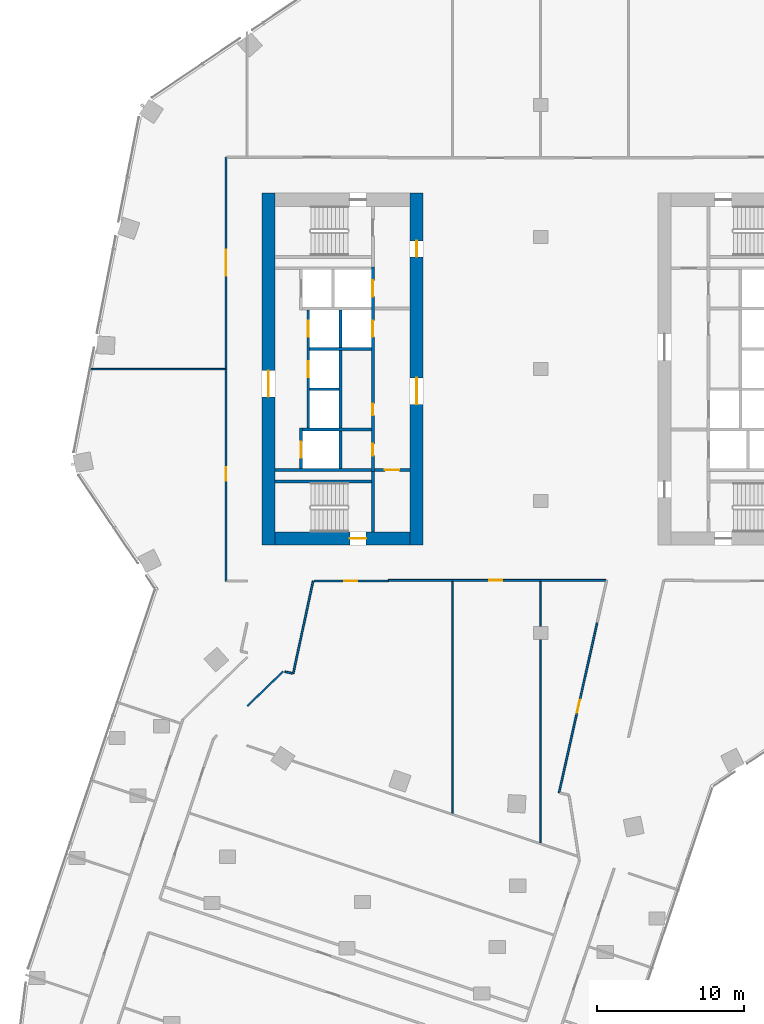
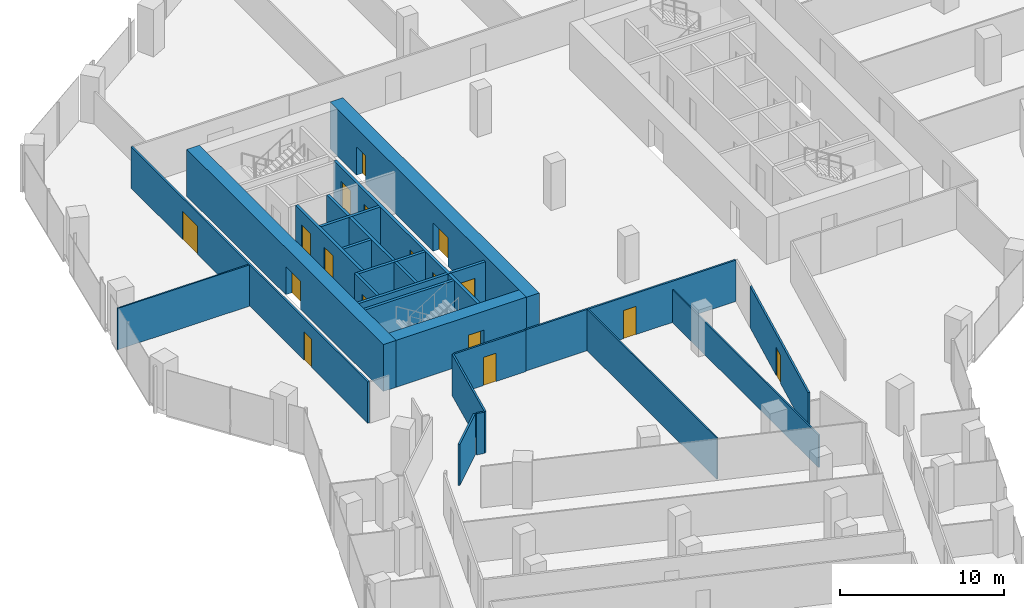
# One storey, part 20 of 25: 26 walls, 17 doors, 17 openings.
"""IFC4 building model written with IfcOpenShell, lengths in metres."""

from ifc_helpers import new_model, si_unit, direction, frame, frame_2d, origin, place, context, subcontext, project, spatial, rectangle, extrude, material, layer, layer_set, type_object, element, fill, save


model = new_model("IFC4")

# Units and contexts
model_context = context("Model", 3, precision=1e-05, world=origin(), true_north=direction((0.0, 1.0)))
body_context = subcontext(model_context, "Body", "Model", "MODEL_VIEW")
ifc_project = project(units=[si_unit("LENGTHUNIT", "METRE"), si_unit("AREAUNIT", "SQUARE_METRE"), si_unit("VOLUMEUNIT", "CUBIC_METRE"), si_unit("PLANEANGLEUNIT", "RADIAN"), si_unit("MASSUNIT", "GRAM", prefix="KILO")], contexts=[model_context])

# Site, building, storey
site_placement = place(None, origin())
site = spatial("IfcSite", under=ifc_project, at=site_placement, CompositionType="ELEMENT")
building_placement = place(site_placement, origin())
building = spatial("IfcBuilding", under=site, at=building_placement, Name="Orlundy Tower", CompositionType="ELEMENT")
storey_placement = place(building_placement, frame((0.0, 0.0, 159.60009765625)))
storey = spatial("IfcBuildingStorey", under=building, at=storey_placement, Name="L41", CompositionType="ELEMENT", Elevation=159.60009765625)

# Wall, opening, door
ifc_material_1 = material(Name="Concrete C70/85", Category="concrete")
ifc_layer_1 = layer(ifc_material_1, 0.89990234375)
ifc_layer_set_1 = layer_set([ifc_layer_1], Name="CORE WALL 900 C70/85")
wall_type_1 = type_object("IfcWallType", Name="CORE WALL 900 C70/85", PredefinedType="SHEAR", material=ifc_layer_set_1)
wall_1_placement = place(storey_placement, frame((-18.10009765625, -11.550048828125, 0.0), z_axis=(0.0, 0.0, 1.0), x_axis=(1.0, 0.0, 0.0)))
wall_1 = element("IfcWall", 1, at=wall_1_placement, inside=storey, type_object=wall_type_1, Name="Core wall W-S L41", PredefinedType="SHEAR", context=body_context, shape_type="SweptSolid", body=[
    extrude(rectangle(XDim=9.2001953125, YDim=0.89990234375, at=frame_2d((4.60009765625, 0.0))), origin(), (0.0, 0.0, 1.0), 3.5),
])
opening_1_placement = place(wall_1_placement, frame((5.10009765625, 0.0, 0.0)))
opening_1 = element("IfcOpeningElement", 2, at=opening_1_placement, cuts=wall_1, Name="Opening 32013", PredefinedType="OPENING", context=body_context, shape_type="SweptSolid", body=[
    extrude(rectangle(XDim=1.10009765625, YDim=2.10009765625, at=frame_2d((0.550048828125, 1.050048828125))), frame((0.0, 0.4599609375, 0.0), z_axis=(0.0, -1.0, 0.0), x_axis=(1.0, 0.0, 0.0)), (0.0, 0.0, 1.0), 0.919921875),
])
ifc_material_2 = material(Name="Steel door set", Category="steel")
door_type_1 = type_object("IfcDoorType", Name="Stair Door 1100x2100", OperationType="SINGLE_SWING_LEFT", PredefinedType="DOOR", material=ifc_material_2)
door_1_placement = place(opening_1_placement, origin())
door_1 = element("IfcDoor", 3, at=door_1_placement, inside=storey, type_object=door_type_1, Name="Stair door 32013", OperationType="SINGLE_SWING_RIGHT", OverallHeight=2.10009765625, OverallWidth=1.10009765625, PredefinedType="DOOR", context=body_context, shape_type="SweptSolid", body=[
    extrude(rectangle(XDim=1.10009765625, YDim=2.10009765625, at=frame_2d((0.550048828125, 1.050048828125))), frame((0.0, 0.02490234375, 0.0), z_axis=(0.0, -1.0, 0.0), x_axis=(1.0, 0.0, 0.0)), (0.0, 0.0, 1.0), 0.050048828125),
])
fill(opening_1, door_1)

wall_2_placement = place(storey_placement, frame((-18.550048828125, -12.0, 0.0), z_axis=(0.0, 0.0, 1.0), x_axis=(0.0, 1.0, 0.0)))
wall_2 = element("IfcWall", 4, at=wall_2_placement, inside=storey, type_object=wall_type_1, Name="Core wall W-W L41", PredefinedType="SHEAR", context=body_context, shape_type="SweptSolid", body=[
    extrude(rectangle(XDim=24.0, YDim=0.89990234375, at=frame_2d((12.0, 0.0))), origin(), (0.0, 0.0, 1.0), 3.5),
])
opening_2_placement = place(wall_2_placement, frame((10.10009765625, 0.0, 0.0)))
opening_2 = element("IfcOpeningElement", 5, at=opening_2_placement, cuts=wall_2, Name="Opening 32010", PredefinedType="OPENING", context=body_context, shape_type="SweptSolid", body=[
    extrude(rectangle(XDim=1.800048828125, YDim=2.10009765625, at=frame_2d((0.89990234375, 1.050048828125))), frame((0.0, 0.4599609375, 0.0), z_axis=(0.0, -1.0, 0.0), x_axis=(1.0, 0.0, 0.0)), (0.0, 0.0, 1.0), 0.919921875),
])
ifc_material_3 = material(Name="Timber door set", Category="wood")
door_type_2 = type_object("IfcDoorType", Name="Lobby Door 1800x2100", OperationType="DOUBLE_DOOR_DOUBLE_SWING", PredefinedType="DOOR", material=ifc_material_3)
door_2_placement = place(opening_2_placement, origin())
door_2 = element("IfcDoor", 6, at=door_2_placement, inside=storey, type_object=door_type_2, Name="Lift lobby door 32010", OperationType="SINGLE_SWING_LEFT", OverallHeight=2.10009765625, OverallWidth=1.800048828125, PredefinedType="DOOR", context=body_context, shape_type="SweptSolid", body=[
    extrude(rectangle(XDim=1.800048828125, YDim=2.10009765625, at=frame_2d((0.89990234375, 1.050048828125))), frame((0.0, 0.02490234375, 0.0), z_axis=(0.0, -1.0, 0.0), x_axis=(1.0, 0.0, 0.0)), (0.0, 0.0, 1.0), 0.050048828125),
])
fill(opening_2, door_2)

# Wall, openings, doors
wall_3_placement = place(storey_placement, frame((-8.449951171875, -12.0, 0.0), z_axis=(0.0, 0.0, 1.0), x_axis=(0.0, 1.0, 0.0)))
wall_3 = element("IfcWall", 7, at=wall_3_placement, inside=storey, type_object=wall_type_1, Name="Core wall W-E L41", PredefinedType="SHEAR", context=body_context, shape_type="SweptSolid", body=[
    extrude(rectangle(XDim=24.0, YDim=0.89990234375, at=frame_2d((12.0, 0.0))), origin(), (0.0, 0.0, 1.0), 3.5),
])
opening_3_placement = place(wall_3_placement, frame((9.60009765625, 0.0, 0.0)))
opening_3 = element("IfcOpeningElement", 8, at=opening_3_placement, cuts=wall_3, Name="Opening 32009", PredefinedType="OPENING", context=body_context, shape_type="SweptSolid", body=[
    extrude(rectangle(XDim=1.800048828125, YDim=2.10009765625, at=frame_2d((0.89990234375, 1.050048828125))), frame((0.0, 0.4599609375, 0.0), z_axis=(0.0, -1.0, 0.0), x_axis=(1.0, 0.0, 0.0)), (0.0, 0.0, 1.0), 0.919921875),
])
opening_4_placement = place(wall_3_placement, frame((19.64990234375, 0.0, 0.0)))
opening_4 = element("IfcOpeningElement", 9, at=opening_4_placement, cuts=wall_3, Name="Opening 32011", PredefinedType="OPENING", context=body_context, shape_type="SweptSolid", body=[
    extrude(rectangle(XDim=1.10009765625, YDim=2.10009765625, at=frame_2d((0.550048828125, 1.050048828125))), frame((0.0, 0.4599609375, 0.0), z_axis=(0.0, -1.0, 0.0), x_axis=(1.0, 0.0, 0.0)), (0.0, 0.0, 1.0), 0.919921875),
])
ifc_material_4 = material(Name="Steel door set", Category="steel")
door_type_3 = type_object("IfcDoorType", Name="Fire-fighting Lobby Door 1100x2100", OperationType="SINGLE_SWING_LEFT", PredefinedType="DOOR", material=ifc_material_4)
door_3_placement = place(opening_4_placement, origin())
door_3 = element("IfcDoor", 10, at=door_3_placement, inside=storey, type_object=door_type_3, Name="Fire-fighting lobby door 32011", OperationType="SINGLE_SWING_RIGHT", OverallHeight=2.10009765625, OverallWidth=1.10009765625, PredefinedType="DOOR", context=body_context, shape_type="SweptSolid", body=[
    extrude(rectangle(XDim=1.10009765625, YDim=2.10009765625, at=frame_2d((0.550048828125, 1.050048828125))), frame((0.0, 0.02490234375, 0.0), z_axis=(0.0, -1.0, 0.0), x_axis=(1.0, 0.0, 0.0)), (0.0, 0.0, 1.0), 0.050048828125),
])
fill(opening_4, door_3)
door_4_placement = place(opening_3_placement, origin())
door_4 = element("IfcDoor", 11, at=door_4_placement, inside=storey, type_object=door_type_2, Name="Lift lobby door 32009", OperationType="SINGLE_SWING_LEFT", OverallHeight=2.10009765625, OverallWidth=1.800048828125, PredefinedType="DOOR", context=body_context, shape_type="SweptSolid", body=[
    extrude(rectangle(XDim=1.800048828125, YDim=2.10009765625, at=frame_2d((0.89990234375, 1.050048828125))), frame((0.0, 0.02490234375, 0.0), z_axis=(0.0, -1.0, 0.0), x_axis=(1.0, 0.0, 0.0)), (0.0, 0.0, 1.0), 0.050048828125),
])
fill(opening_3, door_4)

# Walls
ifc_material_5 = material(Name="Gypsum board partition")
ifc_layer_2 = layer(ifc_material_5, 0.10009765625)
ifc_layer_set_2 = layer_set([ifc_layer_2], Name="Floor partition 100")
wall_type_2 = type_object("IfcWallType", Name="Floor partition 100", PredefinedType="PARTITIONING", material=ifc_layer_set_2)
wall_4_placement = place(storey_placement, frame((-30.81591796875, 0.0, 0.0), z_axis=(0.0, 0.0, 1.0), x_axis=(1.0, 0.0, 0.0)))
element("IfcWall", 12, at=wall_4_placement, inside=storey, type_object=wall_type_2, Name="wall-int-L41-028", PredefinedType="PARTITIONING", context=body_context, shape_type="SweptSolid", body=[
    extrude(rectangle(XDim=9.303955078125, YDim=0.10009765625, at=frame_2d((4.65185546875, 0.0))), origin(), (0.0, 0.0, 1.0), 3.079833984375),
])
wall_5_placement = place(storey_placement, frame((-6.0, -30.2900390625, 0.0), z_axis=(0.0, 0.0, 1.0), x_axis=(0.0, 1.0, 0.0)))
element("IfcWall", 13, at=wall_5_placement, inside=storey, type_object=wall_type_2, Name="wall-int-L41-061", PredefinedType="PARTITIONING", context=body_context, shape_type="SweptSolid", body=[
    extrude(rectangle(XDim=15.8271484375, YDim=0.10009765625, at=frame_2d((7.91357421875, 0.0))), origin(), (0.0, 0.0, 1.0), 3.079833984375),
])
ifc_material_6 = material(Name="Gypsum board partition")
ifc_layer_3 = layer(ifc_material_6, 0.10009765625)
ifc_layer_set_3 = layer_set([ifc_layer_3], Name="Floor partition 100 B")
wall_type_3 = type_object("IfcWallType", Name="Floor partition 100 B", PredefinedType="PARTITIONING", material=ifc_layer_set_3)
wall_6_placement = place(storey_placement, frame((0.0, -32.297119140625, 0.0), z_axis=(0.0, 0.0, 1.0), x_axis=(0.0, 1.0, 0.0)))
element("IfcWall", 14, at=wall_6_placement, inside=storey, type_object=wall_type_3, Name="wall-int-L41-059", PredefinedType="PARTITIONING", context=body_context, shape_type="SweptSolid", body=[
    extrude(rectangle(XDim=17.834228515625, YDim=0.10009765625, at=frame_2d((8.9169921875, 0.0))), origin(), (0.0, 0.0, 1.0), 2.44482421875),
])
ifc_material_7 = material(Name="Gypsum board partition, double layer")
ifc_layer_4 = layer(ifc_material_7, 0.125)
ifc_layer_set_4 = layer_set([ifc_layer_4], Name="Floor partition 125")
wall_type_4 = type_object("IfcWallType", Name="Floor partition 125", PredefinedType="PARTITIONING", material=ifc_layer_set_4)
wall_7_placement = place(storey_placement, frame((-17.43310546875, -20.6298828125, 0.0), z_axis=(0.0, 0.0, 1.0), x_axis=(0.977781820865, -0.209625167351, 0.0)))
element("IfcWall", 15, at=wall_7_placement, inside=storey, type_object=wall_type_4, Name="wall-int-L41-020", PredefinedType="PARTITIONING", context=body_context, shape_type="SweptSolid", body=[
    extrude(rectangle(XDim=0.5205078125, YDim=0.125, at=frame_2d((0.26025390625, 0.0))), origin(), (0.0, 0.0, 1.0), 3.079833984375),
])

# Wall, opening, door
wall_8_placement = place(storey_placement, frame((-10.39111328125, -14.450927734375, 0.0), z_axis=(0.0, 0.0, 1.0), x_axis=(-1.0, 0.0, 0.0)))
wall_8 = element("IfcWall", 16, at=wall_8_placement, inside=storey, type_object=wall_type_4, Name="wall-int-L41-023", PredefinedType="PARTITIONING", context=body_context, shape_type="SweptSolid", body=[
    extrude(rectangle(XDim=5.04296875, YDim=0.125, at=frame_2d((2.521484375, 0.0))), origin(), (0.0, 0.0, 1.0), 3.079833984375),
])
opening_5_placement = place(wall_8_placement, frame((2.10009765625, 0.0, 0.0)))
opening_5 = element("IfcOpeningElement", 17, at=opening_5_placement, cuts=wall_8, Name="Opening 32115", PredefinedType="OPENING", context=body_context, shape_type="SweptSolid", body=[
    extrude(rectangle(XDim=0.89990234375, YDim=2.10009765625, at=frame_2d((0.449951171875, 1.050048828125))), frame((0.0, 0.072509765625, 0.0), z_axis=(0.0, -1.0, 0.0), x_axis=(1.0, 0.0, 0.0)), (0.0, 0.0, 1.0), 0.14501953125),
])
ifc_material_8 = material(Name="Timber door leaf", Category="wood")
door_type_4 = type_object("IfcDoorType", Name="Floor door single 900 FD30S", OperationType="NOTDEFINED", PredefinedType="DOOR", material=ifc_material_8)
door_5_placement = place(opening_5_placement, origin())
door_5 = element("IfcDoor", 18, at=door_5_placement, inside=storey, type_object=door_type_4, Name="Door 32115", OperationType="SINGLE_SWING_RIGHT", OverallHeight=2.10009765625, OverallWidth=0.89990234375, PredefinedType="DOOR", context=body_context, shape_type="SweptSolid", body=[
    extrude(rectangle(XDim=0.89990234375, YDim=2.10009765625, at=frame_2d((0.449951171875, 1.050048828125))), frame((0.0, 0.02490234375, 0.0), z_axis=(0.0, -1.0, 0.0), x_axis=(1.0, 0.0, 0.0)), (0.0, 0.0, 1.0), 0.050048828125),
])
fill(opening_5, door_5)

wall_9_placement = place(storey_placement, frame((4.427001953125, -14.40087890625, 0.0), z_axis=(0.0, 0.0, 1.0), x_axis=(-1.0, 0.0, 0.0)))
wall_9 = element("IfcWall", 19, at=wall_9_placement, inside=storey, type_object=wall_type_4, Name="wall-int-L41-025", PredefinedType="PARTITIONING", context=body_context, shape_type="SweptSolid", body=[
    extrude(rectangle(XDim=14.81689453125, YDim=0.125, at=frame_2d((7.408447265625, 0.0))), origin(), (0.0, 0.0, 1.0), 3.079833984375),
])
opening_6_placement = place(wall_9_placement, frame((7.02685546875, 0.0, 0.0)))
opening_6 = element("IfcOpeningElement", 20, at=opening_6_placement, cuts=wall_9, Name="Opening 32116", PredefinedType="OPENING", context=body_context, shape_type="SweptSolid", body=[
    extrude(rectangle(XDim=0.89990234375, YDim=2.10009765625, at=frame_2d((0.449951171875, 1.050048828125))), frame((0.0, 0.072509765625, 0.0), z_axis=(0.0, -1.0, 0.0), x_axis=(1.0, 0.0, 0.0)), (0.0, 0.0, 1.0), 0.14501953125),
])
door_6_placement = place(opening_6_placement, origin())
door_6 = element("IfcDoor", 21, at=door_6_placement, inside=storey, type_object=door_type_4, Name="Door 32116", OperationType="SINGLE_SWING_RIGHT", OverallHeight=2.10009765625, OverallWidth=0.89990234375, PredefinedType="DOOR", context=body_context, shape_type="SweptSolid", body=[
    extrude(rectangle(XDim=0.89990234375, YDim=2.10009765625, at=frame_2d((0.449951171875, 1.050048828125))), frame((0.0, 0.02490234375, 0.0), z_axis=(0.0, -1.0, 0.0), x_axis=(1.0, 0.0, 0.0)), (0.0, 0.0, 1.0), 0.050048828125),
])
fill(opening_6, door_6)

# Wall
wall_10_placement = place(storey_placement, frame((-20.0, -22.97802734375, 0.0), z_axis=(0.0, 0.0, 1.0), x_axis=(0.718705918195, 0.695314175859, 0.0)))
element("IfcWall", 22, at=wall_10_placement, inside=storey, type_object=wall_type_4, Name="wall-int-L41-035", PredefinedType="PARTITIONING", context=body_context, shape_type="SweptSolid", body=[
    extrude(rectangle(XDim=3.412841796875, YDim=0.125, at=frame_2d((1.70654296875, 0.0))), origin(), (0.0, 0.0, 1.0), 3.079833984375),
])

# Wall, opening, door
wall_11_placement = place(storey_placement, frame((1.256103515625, -28.881103515625, 0.0), z_axis=(0.0, 0.0, 1.0), x_axis=(0.218920699835, 0.975742654179, 0.0)))
wall_11 = element("IfcWall", 23, at=wall_11_placement, inside=storey, type_object=wall_type_4, Name="wall-int-L41-052", PredefinedType="PARTITIONING", context=body_context, shape_type="SweptSolid", body=[
    extrude(rectangle(XDim=11.894775390625, YDim=0.125, at=frame_2d((5.947265625, 0.0))), origin(), (0.0, 0.0, 1.0), 3.079833984375),
])
opening_7_placement = place(wall_11_placement, frame((5.60009765625, 0.0, 0.0)))
opening_7 = element("IfcOpeningElement", 24, at=opening_7_placement, cuts=wall_11, Name="Opening 32117", PredefinedType="OPENING", context=body_context, shape_type="SweptSolid", body=[
    extrude(rectangle(XDim=0.89990234375, YDim=2.10009765625, at=frame_2d((0.449951171875, 1.050048828125))), frame((0.0, 0.072509765625, 0.0), z_axis=(0.0, -1.0, 0.0), x_axis=(1.0, 0.0, 0.0)), (0.0, 0.0, 1.0), 0.14501953125),
])
door_7_placement = place(opening_7_placement, origin())
door_7 = element("IfcDoor", 25, at=door_7_placement, inside=storey, type_object=door_type_4, Name="Door 32117", OperationType="SINGLE_SWING_RIGHT", OverallHeight=2.10009765625, OverallWidth=0.89990234375, PredefinedType="DOOR", context=body_context, shape_type="SweptSolid", body=[
    extrude(rectangle(XDim=0.89990234375, YDim=2.10009765625, at=frame_2d((0.449951171875, 1.050048828125))), frame((0.0, 0.02490234375, 0.0), z_axis=(0.0, -1.0, 0.0), x_axis=(1.0, 0.0, 0.0)), (0.0, 0.0, 1.0), 0.050048828125),
])
fill(opening_7, door_7)

# Wall
wall_12_placement = place(storey_placement, frame((-16.862060546875, -20.751953125, 0.0), z_axis=(0.0, 0.0, 1.0), x_axis=(0.209655863281, 0.977775239506, 0.0)))
element("IfcWall", 26, at=wall_12_placement, inside=storey, type_object=wall_type_4, Name="wall-int-L41-053", PredefinedType="PARTITIONING", context=body_context, shape_type="SweptSolid", body=[
    extrude(rectangle(XDim=6.4443359375, YDim=0.125, at=frame_2d((3.22216796875, 0.0))), origin(), (0.0, 0.0, 1.0), 3.079833984375),
])

# Wall, openings, doors
wall_13_placement = place(storey_placement, frame((-21.449951171875, -14.450927734375, 0.0), z_axis=(0.0, 0.0, 1.0), x_axis=(0.0, 1.0, 0.0)))
wall_13 = element("IfcWall", 27, at=wall_13_placement, inside=storey, type_object=wall_type_4, Name="wall-int-L41-064", PredefinedType="PARTITIONING", context=body_context, shape_type="SweptSolid", body=[
    extrude(rectangle(XDim=28.90185546875, YDim=0.125, at=frame_2d((14.450927734375, 0.0))), origin(), (0.0, 0.0, 1.0), 3.079833984375),
])
opening_8_placement = place(wall_13_placement, frame((6.85009765625, 0.0, 0.0)))
opening_8 = element("IfcOpeningElement", 28, at=opening_8_placement, cuts=wall_13, Name="Opening 32114", PredefinedType="OPENING", context=body_context, shape_type="SweptSolid", body=[
    extrude(rectangle(XDim=0.89990234375, YDim=2.10009765625, at=frame_2d((0.449951171875, 1.050048828125))), frame((0.0, 0.072509765625, 0.0), z_axis=(0.0, -1.0, 0.0), x_axis=(1.0, 0.0, 0.0)), (0.0, 0.0, 1.0), 0.14501953125),
])
opening_9_placement = place(wall_13_placement, frame((20.801025390625, 0.0, 0.0)))
opening_9 = element("IfcOpeningElement", 29, at=opening_9_placement, cuts=wall_13, Name="Opening 32127", PredefinedType="OPENING", context=body_context, shape_type="SweptSolid", body=[
    extrude(rectangle(XDim=1.800048828125, YDim=2.10009765625, at=frame_2d((0.89990234375, 1.050048828125))), frame((0.0, 0.072509765625, 0.0), z_axis=(0.0, -1.0, 0.0), x_axis=(1.0, 0.0, 0.0)), (0.0, 0.0, 1.0), 0.14501953125),
])
ifc_material_9 = material(Name="Timber door leaf", Category="wood")
door_type_5 = type_object("IfcDoorType", Name="Floor door double 1800 FD30S", OperationType="NOTDEFINED", PredefinedType="DOOR", material=ifc_material_9)
door_8_placement = place(opening_9_placement, origin())
door_8 = element("IfcDoor", 30, at=door_8_placement, inside=storey, type_object=door_type_5, Name="Door 32127", OperationType="DOUBLE_DOOR_SINGLE_SWING", OverallHeight=2.10009765625, OverallWidth=1.800048828125, PredefinedType="DOOR", context=body_context, shape_type="SweptSolid", body=[
    extrude(rectangle(XDim=1.800048828125, YDim=2.10009765625, at=frame_2d((0.89990234375, 1.050048828125))), frame((0.0, 0.02490234375, 0.0), z_axis=(0.0, -1.0, 0.0), x_axis=(1.0, 0.0, 0.0)), (0.0, 0.0, 1.0), 0.050048828125),
])
fill(opening_9, door_8)
door_9_placement = place(opening_8_placement, origin())
door_9 = element("IfcDoor", 31, at=door_9_placement, inside=storey, type_object=door_type_4, Name="Door 32114", OperationType="SINGLE_SWING_LEFT", OverallHeight=2.10009765625, OverallWidth=0.89990234375, PredefinedType="DOOR", context=body_context, shape_type="SweptSolid", body=[
    extrude(rectangle(XDim=0.89990234375, YDim=2.10009765625, at=frame_2d((0.449951171875, 1.050048828125))), frame((0.0, 0.02490234375, 0.0), z_axis=(0.0, -1.0, 0.0), x_axis=(1.0, 0.0, 0.0)), (0.0, 0.0, 1.0), 0.050048828125),
])
fill(opening_8, door_9)

# Walls
ifc_material_10 = material(Name="Concrete C40/50", Category="concrete")
ifc_layer_5 = layer(ifc_material_10, 0.199951171875)
ifc_layer_set_5 = layer_set([ifc_layer_5], Name="Load-bearing Shaft Wall 200")
wall_type_5 = type_object("IfcWallType", Name="Load-bearing Shaft Wall 200", PredefinedType="SOLIDWALL", material=ifc_layer_set_5)
wall_14_placement = place(storey_placement, frame((-11.43994140625, -11.10009765625, 0.0), z_axis=(0.0, 0.0, 1.0), x_axis=(0.0, 1.0, 0.0)))
element("IfcWall", 32, at=wall_14_placement, inside=storey, type_object=wall_type_5, Name="Shaft wall W32-stair-end-s", PredefinedType="SOLIDWALL", context=body_context, shape_type="SweptSolid", body=[
    extrude(rectangle(XDim=4.125, YDim=0.199951171875, at=frame_2d((2.0625, 0.0))), origin(), (0.0, 0.0, 1.0), 3.08984375),
])
wall_15_placement = place(storey_placement, frame((-11.5400390625, -7.64990234375, 0.0), z_axis=(0.0, 0.0, 1.0), x_axis=(-1.0, 0.0, 0.0)))
element("IfcWall", 33, at=wall_15_placement, inside=storey, type_object=wall_type_5, Name="Shaft wall W32-stair-side-s", PredefinedType="SOLIDWALL", context=body_context, shape_type="SweptSolid", body=[
    extrude(rectangle(XDim=6.56005859375, YDim=0.199951171875, at=frame_2d((3.280029296875, 0.0))), origin(), (0.0, 0.0, 1.0), 3.08984375),
])

# Wall, opening, door
ifc_material_11 = material(Name="Gypsum board partition on steel studs", Category="steel")
ifc_layer_6 = layer(ifc_material_11, 0.199951171875)
ifc_layer_set_6 = layer_set([ifc_layer_6], Name="Partition 200")
wall_type_6 = type_object("IfcWallType", Name="Partition 200", PredefinedType="PARTITIONING", material=ifc_layer_set_6)
wall_16_placement = place(storey_placement, frame((-8.89990234375, -6.875, 0.0), z_axis=(0.0, 0.0, 1.0), x_axis=(-1.0, 0.0, 0.0)))
wall_16 = element("IfcWall", 34, at=wall_16_placement, inside=storey, type_object=wall_type_6, Name="Partition wall W32-end-s", PredefinedType="PARTITIONING", context=body_context, shape_type="SweptSolid", body=[
    extrude(rectangle(XDim=2.440185546875, YDim=0.199951171875, at=frame_2d((1.22021484375, 0.0))), origin(), (0.0, 0.0, 1.0), 3.08984375),
])
opening_10_placement = place(wall_16_placement, frame((0.719970703125, 0.0, 0.0)))
opening_10 = element("IfcOpeningElement", 35, at=opening_10_placement, cuts=wall_16, Name="Opening 32015", PredefinedType="OPENING", context=body_context, shape_type="SweptSolid", body=[
    extrude(rectangle(XDim=1.0, YDim=2.10009765625, at=frame_2d((0.5, 1.050048828125))), frame((0.0, 0.110107421875, 0.0), z_axis=(0.0, -1.0, 0.0), x_axis=(1.0, 0.0, 0.0)), (0.0, 0.0, 1.0), 0.22021484375),
])
ifc_material_12 = material(Name="Timber door set", Category="wood")
door_type_6 = type_object("IfcDoorType", Name="Accessible Door 1000x2100", OperationType="SINGLE_SWING_LEFT", PredefinedType="DOOR", material=ifc_material_12)
door_10_placement = place(opening_10_placement, origin())
door_10 = element("IfcDoor", 36, at=door_10_placement, inside=storey, type_object=door_type_6, Name="Accessible WC door 32015", OperationType="SINGLE_SWING_RIGHT", OverallHeight=2.10009765625, OverallWidth=1.0, PredefinedType="DOOR", context=body_context, shape_type="SweptSolid", body=[
    extrude(rectangle(XDim=1.0, YDim=2.10009765625, at=frame_2d((0.5, 1.050048828125))), frame((0.0, 0.02490234375, 0.0), z_axis=(0.0, -1.0, 0.0), x_axis=(1.0, 0.0, 0.0)), (0.0, 0.0, 1.0), 0.050048828125),
])
fill(opening_10, door_10)

# Walls
ifc_material_13 = material(Name="Fire-rated blockwork shaft wall", Category="masonry")
ifc_layer_7 = layer(ifc_material_13, 0.199951171875)
ifc_layer_set_7 = layer_set([ifc_layer_7], Name="Shaft Wall 200")
wall_type_7 = type_object("IfcWallType", Name="Shaft Wall 200", PredefinedType="SOLIDWALL", material=ifc_layer_set_7)
wall_17_placement = place(storey_placement, frame((-11.5400390625, -6.875, 0.0), z_axis=(0.0, 0.0, 1.0), x_axis=(-1.0, 0.0, 0.0)))
element("IfcWall", 37, at=wall_17_placement, inside=storey, type_object=wall_type_7, Name="Shaft wall W32-zone-s", PredefinedType="SOLIDWALL", context=body_context, shape_type="SweptSolid", body=[
    extrude(rectangle(XDim=6.56005859375, YDim=0.199951171875, at=frame_2d((3.280029296875, 0.0))), origin(), (0.0, 0.0, 1.0), 3.08984375),
])
wall_18_placement = place(storey_placement, frame((-11.5400390625, -4.125, 0.0), z_axis=(0.0, 0.0, 1.0), x_axis=(-1.0, 0.0, 0.0)))
element("IfcWall", 38, at=wall_18_placement, inside=storey, type_object=wall_type_7, Name="Shaft wall W32-cross-4.125", PredefinedType="SOLIDWALL", context=body_context, shape_type="SweptSolid", body=[
    extrude(rectangle(XDim=4.699951171875, YDim=0.199951171875, at=frame_2d((2.35009765625, 0.0))), origin(), (0.0, 0.0, 1.0), 3.08984375),
])
wall_19_placement = place(storey_placement, frame((-13.739990234375, -1.375, 0.0), z_axis=(0.0, 0.0, 1.0), x_axis=(-1.0, 0.0, 0.0)))
element("IfcWall", 39, at=wall_19_placement, inside=storey, type_object=wall_type_7, Name="Shaft wall W32-cross-1.375", PredefinedType="SOLIDWALL", context=body_context, shape_type="SweptSolid", body=[
    extrude(rectangle(XDim=2.0, YDim=0.199951171875, at=frame_2d((1.0, 0.0))), origin(), (0.0, 0.0, 1.0), 3.08984375),
])
wall_20_placement = place(storey_placement, frame((-11.5400390625, 1.375, 0.0), z_axis=(0.0, 0.0, 1.0), x_axis=(-1.0, 0.0, 0.0)))
element("IfcWall", 40, at=wall_20_placement, inside=storey, type_object=wall_type_7, Name="Shaft wall W32-cross+1.375", PredefinedType="SOLIDWALL", context=body_context, shape_type="SweptSolid", body=[
    extrude(rectangle(XDim=4.199951171875, YDim=0.199951171875, at=frame_2d((2.10009765625, 0.0))), origin(), (0.0, 0.0, 1.0), 3.08984375),
])

# Wall, openings, doors
wall_21_placement = place(storey_placement, frame((-11.43994140625, -6.97509765625, 0.0), z_axis=(0.0, 0.0, 1.0), x_axis=(0.0, 1.0, 0.0)))
wall_21 = element("IfcWall", 41, at=wall_21_placement, inside=storey, type_object=wall_type_7, Name="Shaft wall W32-front-h", PredefinedType="SOLIDWALL", context=body_context, shape_type="SweptSolid", body=[
    extrude(rectangle(XDim=13.9501953125, YDim=0.199951171875, at=frame_2d((6.97509765625, 0.0))), origin(), (0.0, 0.0, 1.0), 3.08984375),
])
opening_11_placement = place(wall_21_placement, frame((9.175048828125, 0.0, 0.0)))
opening_11 = element("IfcOpeningElement", 42, at=opening_11_placement, cuts=wall_21, Name="Opening 32003", PredefinedType="OPENING", context=body_context, shape_type="SweptSolid", body=[
    extrude(rectangle(XDim=1.10009765625, YDim=2.10009765625, at=frame_2d((0.550048828125, 1.050048828125))), frame((0.0, 0.110107421875, 0.0), z_axis=(0.0, -1.0, 0.0), x_axis=(1.0, 0.0, 0.0)), (0.0, 0.0, 1.0), 0.22021484375),
])
opening_12_placement = place(wall_21_placement, frame((11.925048828125, 0.0, 0.0)))
opening_12 = element("IfcOpeningElement", 43, at=opening_12_placement, cuts=wall_21, Name="Opening 32005", PredefinedType="OPENING", context=body_context, shape_type="SweptSolid", body=[
    extrude(rectangle(XDim=1.10009765625, YDim=2.10009765625, at=frame_2d((0.550048828125, 1.050048828125))), frame((0.0, 0.110107421875, 0.0), z_axis=(0.0, -1.0, 0.0), x_axis=(1.0, 0.0, 0.0)), (0.0, 0.0, 1.0), 0.22021484375),
])
opening_13_placement = place(wall_21_placement, frame((1.074951171875, 0.0, 0.0)))
opening_13 = element("IfcOpeningElement", 44, at=opening_13_placement, cuts=wall_21, Name="Opening 32007", PredefinedType="OPENING", context=body_context, shape_type="SweptSolid", body=[
    extrude(rectangle(XDim=0.800048828125, YDim=2.10009765625, at=frame_2d((0.39990234375, 1.050048828125))), frame((0.0, 0.110107421875, 0.0), z_axis=(0.0, -1.0, 0.0), x_axis=(1.0, 0.0, 0.0)), (0.0, 0.0, 1.0), 0.22021484375),
])
opening_14_placement = place(wall_21_placement, frame((3.824951171875, 0.0, 0.0)))
opening_14 = element("IfcOpeningElement", 45, at=opening_14_placement, cuts=wall_21, Name="Opening 32008", PredefinedType="OPENING", context=body_context, shape_type="SweptSolid", body=[
    extrude(rectangle(XDim=0.800048828125, YDim=2.10009765625, at=frame_2d((0.39990234375, 1.050048828125))), frame((0.0, 0.110107421875, 0.0), z_axis=(0.0, -1.0, 0.0), x_axis=(1.0, 0.0, 0.0)), (0.0, 0.0, 1.0), 0.22021484375),
])
ifc_material_14 = material(Name="Steel door set", Category="steel")
door_type_7 = type_object("IfcDoorType", Name="Landing Door 1100x2100", OperationType="DOUBLE_DOOR_SLIDING", PredefinedType="DOOR", material=ifc_material_14)
door_11_placement = place(opening_11_placement, origin())
door_11 = element("IfcDoor", 46, at=door_11_placement, inside=storey, type_object=door_type_7, Name="Lift landing door LP-12 32003", OperationType="DOUBLE_DOOR_SLIDING", OverallHeight=2.10009765625, OverallWidth=1.10009765625, PredefinedType="DOOR", context=body_context, shape_type="SweptSolid", body=[
    extrude(rectangle(XDim=1.10009765625, YDim=2.10009765625, at=frame_2d((0.550048828125, 1.050048828125))), frame((0.0, 0.02490234375, 0.0), z_axis=(0.0, -1.0, 0.0), x_axis=(1.0, 0.0, 0.0)), (0.0, 0.0, 1.0), 0.050048828125),
])
fill(opening_11, door_11)
door_12_placement = place(opening_12_placement, origin())
door_12 = element("IfcDoor", 47, at=door_12_placement, inside=storey, type_object=door_type_7, Name="Lift landing door FL1 32005", OperationType="DOUBLE_DOOR_SLIDING", OverallHeight=2.10009765625, OverallWidth=1.10009765625, PredefinedType="DOOR", context=body_context, shape_type="SweptSolid", body=[
    extrude(rectangle(XDim=1.10009765625, YDim=2.10009765625, at=frame_2d((0.550048828125, 1.050048828125))), frame((0.0, 0.02490234375, 0.0), z_axis=(0.0, -1.0, 0.0), x_axis=(1.0, 0.0, 0.0)), (0.0, 0.0, 1.0), 0.050048828125),
])
fill(opening_12, door_12)
ifc_material_15 = material(Name="Timber door set", Category="wood")
door_type_8 = type_object("IfcDoorType", Name="Riser Door 800x2100", OperationType="SINGLE_SWING_LEFT", PredefinedType="DOOR", material=ifc_material_15)
door_13_placement = place(opening_13_placement, origin())
door_13 = element("IfcDoor", 48, at=door_13_placement, inside=storey, type_object=door_type_8, Name="Telecom Room door 32007", OperationType="SINGLE_SWING_LEFT", OverallHeight=2.10009765625, OverallWidth=0.800048828125, PredefinedType="DOOR", context=body_context, shape_type="SweptSolid", body=[
    extrude(rectangle(XDim=0.800048828125, YDim=2.10009765625, at=frame_2d((0.39990234375, 1.050048828125))), frame((0.0, 0.02490234375, 0.0), z_axis=(0.0, -1.0, 0.0), x_axis=(1.0, 0.0, 0.0)), (0.0, 0.0, 1.0), 0.050048828125),
])
fill(opening_13, door_13)
door_14_placement = place(opening_14_placement, origin())
door_14 = element("IfcDoor", 49, at=door_14_placement, inside=storey, type_object=door_type_8, Name="Linen Store door 32008", OperationType="SINGLE_SWING_LEFT", OverallHeight=2.10009765625, OverallWidth=0.800048828125, PredefinedType="DOOR", context=body_context, shape_type="SweptSolid", body=[
    extrude(rectangle(XDim=0.800048828125, YDim=2.10009765625, at=frame_2d((0.39990234375, 1.050048828125))), frame((0.0, 0.02490234375, 0.0), z_axis=(0.0, -1.0, 0.0), x_axis=(1.0, 0.0, 0.0)), (0.0, 0.0, 1.0), 0.050048828125),
])
fill(opening_14, door_14)

# Walls
wall_22_placement = place(storey_placement, frame((-13.639892578125, -6.77490234375, 0.0), z_axis=(0.0, 0.0, 1.0), x_axis=(0.0, 1.0, 0.0)))
element("IfcWall", 50, at=wall_22_placement, inside=storey, type_object=wall_type_7, Name="Shaft wall W32-mid-a", PredefinedType="SOLIDWALL", context=body_context, shape_type="SweptSolid", body=[
    extrude(rectangle(XDim=2.5498046875, YDim=0.199951171875, at=frame_2d((1.27490234375, 0.0))), origin(), (0.0, 0.0, 1.0), 3.08984375),
])
wall_23_placement = place(storey_placement, frame((-13.639892578125, -4.02490234375, 0.0), z_axis=(0.0, 0.0, 1.0), x_axis=(0.0, 1.0, 0.0)))
element("IfcWall", 51, at=wall_23_placement, inside=storey, type_object=wall_type_7, Name="Shaft wall W32-mid-a.1", PredefinedType="SOLIDWALL", context=body_context, shape_type="SweptSolid", body=[
    extrude(rectangle(XDim=5.2998046875, YDim=0.199951171875, at=frame_2d((2.64990234375, 0.0))), origin(), (0.0, 0.0, 1.0), 3.08984375),
])
wall_24_placement = place(storey_placement, frame((-13.639892578125, 1.47509765625, 0.0), z_axis=(0.0, 0.0, 1.0), x_axis=(0.0, 1.0, 0.0)))
element("IfcWall", 52, at=wall_24_placement, inside=storey, type_object=wall_type_7, Name="Shaft wall W32-mid-a.2", PredefinedType="SOLIDWALL", context=body_context, shape_type="SweptSolid", body=[
    extrude(rectangle(XDim=2.5498046875, YDim=0.199951171875, at=frame_2d((1.27490234375, 0.0))), origin(), (0.0, 0.0, 1.0), 3.08984375),
])

# Wall, opening, door
wall_25_placement = place(storey_placement, frame((-16.340087890625, -6.77490234375, 0.0), z_axis=(0.0, 0.0, 1.0), x_axis=(0.0, 1.0, 0.0)))
wall_25 = element("IfcWall", 53, at=wall_25_placement, inside=storey, type_object=wall_type_7, Name="Shaft wall W32-front-o-a", PredefinedType="SOLIDWALL", context=body_context, shape_type="SweptSolid", body=[
    extrude(rectangle(XDim=2.75, YDim=0.199951171875, at=frame_2d((1.375, 0.0))), origin(), (0.0, 0.0, 1.0), 3.08984375),
])
opening_15_placement = place(wall_25_placement, frame((0.72509765625, 0.0, 0.0)))
opening_15 = element("IfcOpeningElement", 54, at=opening_15_placement, cuts=wall_25, Name="Opening 32001", PredefinedType="OPENING", context=body_context, shape_type="SweptSolid", body=[
    extrude(rectangle(XDim=1.10009765625, YDim=2.10009765625, at=frame_2d((0.550048828125, 1.050048828125))), frame((0.0, 0.110107421875, 0.0), z_axis=(0.0, -1.0, 0.0), x_axis=(1.0, 0.0, 0.0)), (0.0, 0.0, 1.0), 0.22021484375),
])
door_15_placement = place(opening_15_placement, origin())
door_15 = element("IfcDoor", 55, at=door_15_placement, inside=storey, type_object=door_type_7, Name="Lift landing door LV-01 32001", OperationType="DOUBLE_DOOR_SLIDING", OverallHeight=2.10009765625, OverallWidth=1.10009765625, PredefinedType="DOOR", context=body_context, shape_type="SweptSolid", body=[
    extrude(rectangle(XDim=1.10009765625, YDim=2.10009765625, at=frame_2d((0.550048828125, 1.050048828125))), frame((0.0, 0.02490234375, 0.0), z_axis=(0.0, -1.0, 0.0), x_axis=(1.0, 0.0, 0.0)), (0.0, 0.0, 1.0), 0.050048828125),
])
fill(opening_15, door_15)

# Wall, openings, doors
wall_26_placement = place(storey_placement, frame((-15.840087890625, -4.02490234375, 0.0), z_axis=(0.0, 0.0, 1.0), x_axis=(0.0, 1.0, 0.0)))
wall_26 = element("IfcWall", 56, at=wall_26_placement, inside=storey, type_object=wall_type_7, Name="Shaft wall W32-front-o-b", PredefinedType="SOLIDWALL", context=body_context, shape_type="SweptSolid", body=[
    extrude(rectangle(XDim=8.0498046875, YDim=0.199951171875, at=frame_2d((4.02490234375, 0.0))), origin(), (0.0, 0.0, 1.0), 3.08984375),
])
opening_16_placement = place(wall_26_placement, frame((3.47509765625, 0.0, 0.0)))
opening_16 = element("IfcOpeningElement", 57, at=opening_16_placement, cuts=wall_26, Name="Opening 32002", PredefinedType="OPENING", context=body_context, shape_type="SweptSolid", body=[
    extrude(rectangle(XDim=1.10009765625, YDim=2.10009765625, at=frame_2d((0.550048828125, 1.050048828125))), frame((0.0, 0.110107421875, 0.0), z_axis=(0.0, -1.0, 0.0), x_axis=(1.0, 0.0, 0.0)), (0.0, 0.0, 1.0), 0.22021484375),
])
opening_17_placement = place(wall_26_placement, frame((6.22509765625, 0.0, 0.0)))
opening_17 = element("IfcOpeningElement", 58, at=opening_17_placement, cuts=wall_26, Name="Opening 32004", PredefinedType="OPENING", context=body_context, shape_type="SweptSolid", body=[
    extrude(rectangle(XDim=1.10009765625, YDim=2.10009765625, at=frame_2d((0.550048828125, 1.050048828125))), frame((0.0, 0.110107421875, 0.0), z_axis=(0.0, -1.0, 0.0), x_axis=(1.0, 0.0, 0.0)), (0.0, 0.0, 1.0), 0.22021484375),
])
door_16_placement = place(opening_16_placement, origin())
door_16 = element("IfcDoor", 59, at=door_16_placement, inside=storey, type_object=door_type_7, Name="Lift landing door LP-11 32002", OperationType="DOUBLE_DOOR_SLIDING", OverallHeight=2.10009765625, OverallWidth=1.10009765625, PredefinedType="DOOR", context=body_context, shape_type="SweptSolid", body=[
    extrude(rectangle(XDim=1.10009765625, YDim=2.10009765625, at=frame_2d((0.550048828125, 1.050048828125))), frame((0.0, 0.02490234375, 0.0), z_axis=(0.0, -1.0, 0.0), x_axis=(1.0, 0.0, 0.0)), (0.0, 0.0, 1.0), 0.050048828125),
])
fill(opening_16, door_16)
door_17_placement = place(opening_17_placement, origin())
door_17 = element("IfcDoor", 60, at=door_17_placement, inside=storey, type_object=door_type_7, Name="Lift landing door LP-13 32004", OperationType="DOUBLE_DOOR_SLIDING", OverallHeight=2.10009765625, OverallWidth=1.10009765625, PredefinedType="DOOR", context=body_context, shape_type="SweptSolid", body=[
    extrude(rectangle(XDim=1.10009765625, YDim=2.10009765625, at=frame_2d((0.550048828125, 1.050048828125))), frame((0.0, 0.02490234375, 0.0), z_axis=(0.0, -1.0, 0.0), x_axis=(1.0, 0.0, 0.0)), (0.0, 0.0, 1.0), 0.050048828125),
])
fill(opening_17, door_17)

save(model, "model.ifc")
